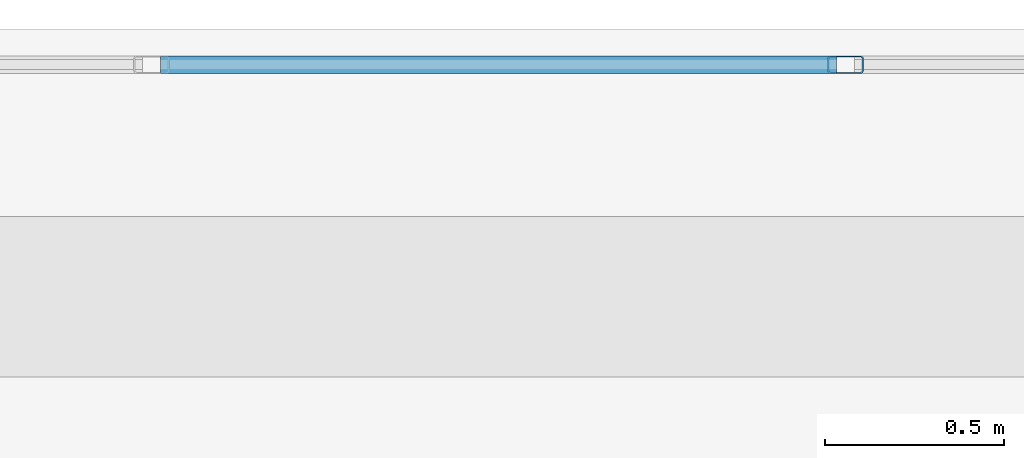
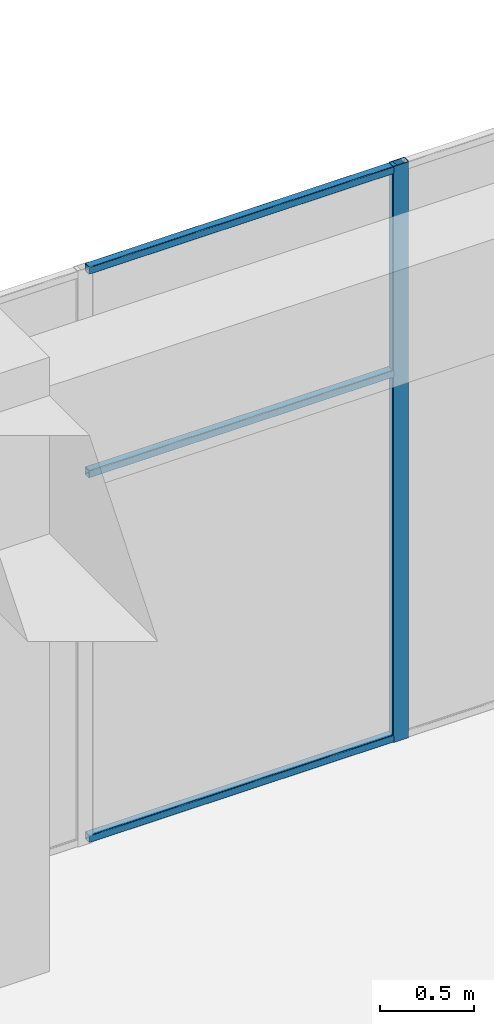
# One storey, part 24 of 35: 4 members, 1 element without a shape of its own.
"""IFC4 building model written with IfcOpenShell, lengths in metres."""

from ifc_helpers import new_model, si_unit, direction, frame, origin, origin_2d, place, context, subcontext, project, spatial, hollow_rectangle, extrude, material, layer, layer_set, material_profile, profile_set, type_object, element, aggregate, save


model = new_model("IFC4")

# Units and contexts
model_context = context("Model", 3, precision=1e-05, world=origin(), true_north=direction((0.0, 1.0)))
body_context = subcontext(model_context, "Body", "Model", "MODEL_VIEW")
ifc_project = project(units=[si_unit("LENGTHUNIT", "METRE"), si_unit("AREAUNIT", "SQUARE_METRE"), si_unit("VOLUMEUNIT", "CUBIC_METRE"), si_unit("PLANEANGLEUNIT", "RADIAN"), si_unit("MASSUNIT", "GRAM", prefix="KILO")], contexts=[model_context])

# Site, building, storey
site_placement = place(None, origin())
site = spatial("IfcSite", under=ifc_project, at=site_placement, CompositionType="ELEMENT")
building_placement = place(site_placement, origin())
building = spatial("IfcBuilding", under=site, at=building_placement, Name="Tuart Plaza Theatre", CompositionType="ELEMENT")
storey_placement = place(building_placement, frame((0.0, 0.0, 45.5)))
storey = spatial("IfcBuildingStorey", under=building, at=storey_placement, Name="L11", CompositionType="ELEMENT", Elevation=45.5)

# Curtain wall, members
ifc_material_1 = material(Name="Aluminium and glass", Category="aluminium")
ifc_layer = layer(ifc_material_1, 0.10009765625)
ifc_layer_set = layer_set([ifc_layer], Name="CURTAIN WALL 2000 module")
curtain_wall_type = type_object("IfcCurtainWallType", Name="CURTAIN WALL 2000 module", PredefinedType="NOTDEFINED", material=ifc_layer_set)
curtain_wall_placement = place(storey_placement, origin())
curtain_wall = element("IfcCurtainWall", 1, at=curtain_wall_placement, inside=storey, type_object=curtain_wall_type, Name="CW105", PredefinedType="NOTDEFINED")
ifc_material_2 = material(Name="Aluminium 6063-T5", Category="aluminium")
ifc_material_profile_1 = material_profile(ifc_material_2, hollow_rectangle(XDim=0.050048828125, YDim=0.10009765625, WallThickness=0.00390625, InnerFilletRadius=0.00390625, OuterFilletRadius=0.008056640625, at=origin_2d()), Name="RHS 100x50x4")
ifc_profile_set_1 = profile_set([ifc_material_profile_1], Name="Aluminium 6063-T5")
member_type_1 = type_object("IfcMemberType", Name="MULLION RHS 100x50x4", PredefinedType="MULLION", material=ifc_profile_set_1)
member_1_placement = place(storey_placement, frame((126.0, 92.64990234375, 0.0), z_axis=(0.0, 0.0, 1.0), x_axis=(0.0, -1.0, 0.0)))
member_1 = element("IfcMember", 2, at=member_1_placement, type_object=member_type_1, Name="CW105 mullion 9", PredefinedType="MULLION", context=body_context, shape_type="SweptSolid", body=[
    extrude(hollow_rectangle(XDim=0.050048828125, YDim=0.10009765625, WallThickness=0.00390625, InnerFilletRadius=0.00390625, OuterFilletRadius=0.008056640625, at=origin_2d()), origin(), (0.0, 0.0, 1.0), 3.75),
])
ifc_material_3 = material(Name="Aluminium 6063-T5", Category="aluminium")
ifc_material_profile_2 = material_profile(ifc_material_3, hollow_rectangle(XDim=0.050048828125, YDim=0.050048828125, WallThickness=0.00390625, InnerFilletRadius=0.00390625, OuterFilletRadius=0.008056640625, at=origin_2d()), Name="RHS 50x50x4")
ifc_profile_set_2 = profile_set([ifc_material_profile_2], Name="Aluminium 6063-T5")
member_type_2 = type_object("IfcMemberType", Name="TRANSOM RHS 50x50x4", PredefinedType="USERDEFINED", material=ifc_profile_set_2)
member_2_placement = place(storey_placement, frame((125.97509765625, 92.64990234375, 0.02490234375), z_axis=(-1.0, 0.0, 0.0), x_axis=(0.0, -1.0, 0.0)))
member_2 = element("IfcMember", 3, at=member_2_placement, type_object=member_type_2, Name="CW105 transom 9.1", ObjectType="TRANSOM", PredefinedType="USERDEFINED", context=body_context, shape_type="SweptSolid", body=[
    extrude(hollow_rectangle(XDim=0.050048828125, YDim=0.050048828125, WallThickness=0.00390625, InnerFilletRadius=0.00390625, OuterFilletRadius=0.008056640625, at=origin_2d()), origin(), (0.0, 0.0, 1.0), 1.893798828125),
])
member_3_placement = place(storey_placement, frame((125.97509765625, 92.64990234375, 2.39990234375), z_axis=(-1.0, 0.0, 0.0), x_axis=(0.0, -1.0, 0.0)))
member_3 = element("IfcMember", 4, at=member_3_placement, type_object=member_type_2, Name="CW105 transom 9.2", ObjectType="TRANSOM", PredefinedType="USERDEFINED", context=body_context, shape_type="SweptSolid", body=[
    extrude(hollow_rectangle(XDim=0.050048828125, YDim=0.050048828125, WallThickness=0.00390625, InnerFilletRadius=0.00390625, OuterFilletRadius=0.008056640625, at=origin_2d()), origin(), (0.0, 0.0, 1.0), 1.893798828125),
])
member_4_placement = place(storey_placement, frame((125.97509765625, 92.64990234375, 3.72509765625), z_axis=(-1.0, 0.0, 0.0), x_axis=(0.0, -1.0, 0.0)))
member_4 = element("IfcMember", 5, at=member_4_placement, type_object=member_type_2, Name="CW105 transom 9.3", ObjectType="TRANSOM", PredefinedType="USERDEFINED", context=body_context, shape_type="SweptSolid", body=[
    extrude(hollow_rectangle(XDim=0.050048828125, YDim=0.050048828125, WallThickness=0.00390625, InnerFilletRadius=0.00390625, OuterFilletRadius=0.008056640625, at=origin_2d()), origin(), (0.0, 0.0, 1.0), 1.893798828125),
])
aggregate(curtain_wall, [member_1, member_2, member_3, member_4])

save(model, "model.ifc")
